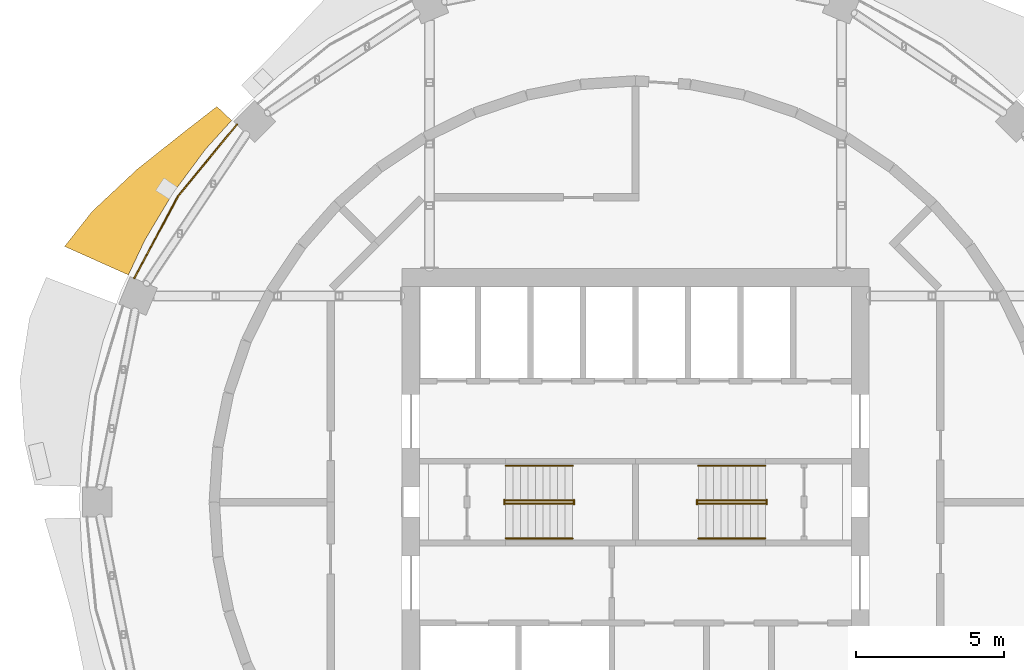
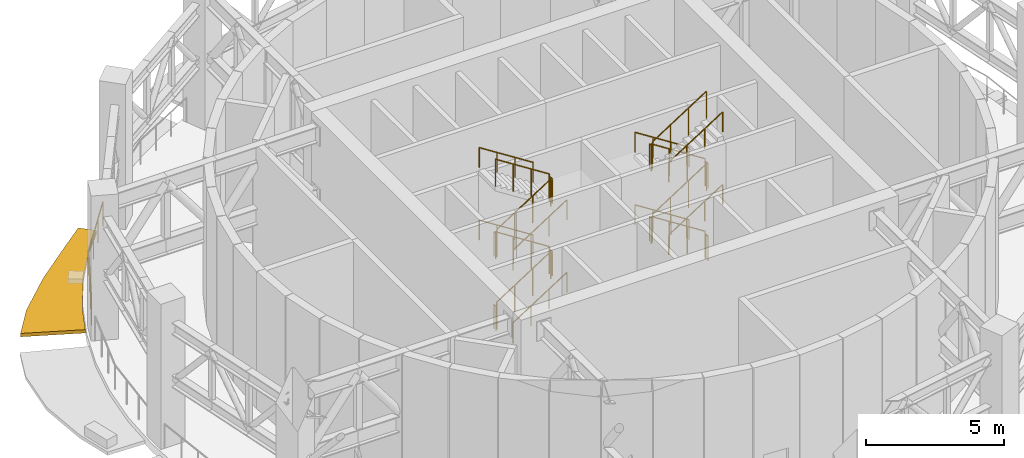
# One storey, part 12 of 14: 25 railings, 1 shading device.
"""IFC4 building model written with IfcOpenShell, lengths in metres."""

from ifc_helpers import new_model, si_unit, direction, frame, origin, origin_2d, place, context, subcontext, project, spatial, polyline, circle, outline, extrude, material, type_object, element, save


model = new_model("IFC4")

# Units and contexts
model_context = context("Model", 3, precision=1e-05, world=origin(), true_north=direction((0.0, 1.0)))
body_context = subcontext(model_context, "Body", "Model", "MODEL_VIEW")
ifc_project = project(units=[si_unit("LENGTHUNIT", "METRE"), si_unit("AREAUNIT", "SQUARE_METRE"), si_unit("VOLUMEUNIT", "CUBIC_METRE"), si_unit("PLANEANGLEUNIT", "RADIAN"), si_unit("MASSUNIT", "GRAM", prefix="KILO")], contexts=[model_context])

# Site, building, storey
site_placement = place(None, origin())
site = spatial("IfcSite", under=ifc_project, at=site_placement, CompositionType="ELEMENT")
building_placement = place(site_placement, origin())
building = spatial("IfcBuilding", under=site, at=building_placement, Name="Polderwave Tower", CompositionType="ELEMENT")
storey_placement = place(building_placement, frame((0.0, 0.0, 161.14990234375)))
storey = spatial("IfcBuildingStorey", under=building, at=storey_placement, Name="L43", CompositionType="ELEMENT", Elevation=161.14990234375)

# Railings
ifc_material_1 = material(Name="Stainless steel", Category="steel")
railing_type_1 = type_object("IfcRailingType", Name="Stair guard 1100", PredefinedType="GUARDRAIL", material=ifc_material_1)
railing_1_placement = place(storey_placement, frame((-4.3740234375, -0.051025390625, 0.0400390625)))
element("IfcRailing", 1, at=railing_1_placement, inside=storey, type_object=railing_type_1, Name="L43 ST-A stair guard 1", PredefinedType="GUARDRAIL", context=body_context, shape_type="SweptSolid", body=[
    extrude(circle(Radius=0.02392578125, at=origin_2d()), frame((0.0, 0.0, 1.1962890625), z_axis=(0.842281359387, 0.0, 0.539038135598), x_axis=(0.0, 1.0, 0.0)), (0.0, 0.0, 1.0), 2.67138671875),
    extrude(circle(Radius=0.02392578125, at=origin_2d()), origin(), (0.0, 0.0, 1.0), 1.172119140625),
    extrude(circle(Radius=0.02392578125, at=origin_2d()), frame((0.75, 0.0, 0.47998046875)), (0.0, 0.0, 1.0), 1.172119140625),
    extrude(circle(Radius=0.02392578125, at=origin_2d()), frame((1.5, 0.0, 0.9599609375)), (0.0, 0.0, 1.0), 1.172119140625),
    extrude(circle(Radius=0.02392578125, at=origin_2d()), frame((2.25, 0.0, 1.43994140625)), (0.0, 0.0, 1.0), 1.172119140625),
])
railing_2_placement = place(storey_placement, frame((-2.073974609375, -0.074951171875, 1.60009765625)))
element("IfcRailing", 2, at=railing_2_placement, inside=storey, type_object=railing_type_1, Name="L43 ST-A stair guard 2", PredefinedType="GUARDRAIL", context=body_context, shape_type="SweptSolid", body=[
    extrude(circle(Radius=0.02392578125, at=origin_2d()), frame((0.0, 0.0, 1.076171875), z_axis=(0.0, 1.0, 0.0), x_axis=(-1.0, 0.0, 0.0)), (0.0, 0.0, 1.0), 0.14990234375),
    extrude(circle(Radius=0.02099609375, at=origin_2d()), origin(), (0.0, 0.0, 1.0), 1.052001953125),
    extrude(circle(Radius=0.02099609375, at=origin_2d()), frame((0.0, 0.14990234375, 0.0)), (0.0, 0.0, 1.0), 1.052001953125),
])
railing_3_placement = place(storey_placement, frame((-2.1240234375, 0.051025390625, 1.639892578125)))
element("IfcRailing", 3, at=railing_3_placement, inside=storey, type_object=railing_type_1, Name="L43 ST-A stair guard 3", PredefinedType="GUARDRAIL", context=body_context, shape_type="SweptSolid", body=[
    extrude(circle(Radius=0.02392578125, at=origin_2d()), frame((0.0, 0.0, 1.1962890625), z_axis=(-0.842239864353, 0.0, 0.539102968731), x_axis=(0.0, -1.0, 0.0)), (0.0, 0.0, 1.0), 2.67138671875),
    extrude(circle(Radius=0.02392578125, at=origin_2d()), origin(), (0.0, 0.0, 1.0), 1.172119140625),
    extrude(circle(Radius=0.02392578125, at=origin_2d()), frame((-0.75, 0.0, 0.47998046875)), (0.0, 0.0, 1.0), 1.172119140625),
    extrude(circle(Radius=0.02392578125, at=origin_2d()), frame((-1.5, 0.0, 0.960205078125)), (0.0, 0.0, 1.0), 1.172119140625),
    extrude(circle(Radius=0.02392578125, at=origin_2d()), frame((-2.25, 0.0, 1.440185546875)), (0.0, 0.0, 1.0), 1.172119140625),
])
railing_4_placement = place(storey_placement, frame((-4.424072265625, -0.074951171875, 3.2001953125)))
element("IfcRailing", 4, at=railing_4_placement, inside=storey, type_object=railing_type_1, Name="L43 ST-A stair guard 4", PredefinedType="GUARDRAIL", context=body_context, shape_type="SweptSolid", body=[
    extrude(circle(Radius=0.02392578125, at=origin_2d()), frame((0.0, 0.0, 1.076171875), z_axis=(0.0, 1.0, 0.0), x_axis=(-1.0, 0.0, 0.0)), (0.0, 0.0, 1.0), 0.14990234375),
    extrude(circle(Radius=0.02099609375, at=origin_2d()), origin(), (0.0, 0.0, 1.0), 1.052001953125),
    extrude(circle(Radius=0.02099609375, at=origin_2d()), frame((0.0, 0.14990234375, 0.0)), (0.0, 0.0, 1.0), 1.052001953125),
])
railing_5_placement = place(storey_placement, frame((-4.3740234375, -0.051025390625, 3.239990234375)))
element("IfcRailing", 5, at=railing_5_placement, inside=storey, type_object=railing_type_1, Name="L43 ST-A stair guard 5", PredefinedType="GUARDRAIL", context=body_context, shape_type="SweptSolid", body=[
    extrude(circle(Radius=0.02392578125, at=origin_2d()), frame((0.0, 0.0, 1.1962890625), z_axis=(0.842281359387, 0.0, 0.539038135598), x_axis=(0.0, 1.0, 0.0)), (0.0, 0.0, 1.0), 2.67138671875),
    extrude(circle(Radius=0.02392578125, at=origin_2d()), origin(), (0.0, 0.0, 1.0), 1.172119140625),
    extrude(circle(Radius=0.02392578125, at=origin_2d()), frame((0.75, 0.0, 0.47998046875)), (0.0, 0.0, 1.0), 1.172119140625),
    extrude(circle(Radius=0.02392578125, at=origin_2d()), frame((1.5, 0.0, 0.9599609375)), (0.0, 0.0, 1.0), 1.172119140625),
    extrude(circle(Radius=0.02392578125, at=origin_2d()), frame((2.25, 0.0, 1.43994140625)), (0.0, 0.0, 1.0), 1.172119140625),
])
railing_6_placement = place(storey_placement, frame((-2.073974609375, -0.074951171875, 4.800048828125)))
element("IfcRailing", 6, at=railing_6_placement, inside=storey, type_object=railing_type_1, Name="L43 ST-A stair guard 6", PredefinedType="GUARDRAIL", context=body_context, shape_type="SweptSolid", body=[
    extrude(circle(Radius=0.02392578125, at=origin_2d()), frame((0.0, 0.0, 1.076171875), z_axis=(0.0, 1.0, 0.0), x_axis=(-1.0, 0.0, 0.0)), (0.0, 0.0, 1.0), 0.14990234375),
    extrude(circle(Radius=0.02099609375, at=origin_2d()), origin(), (0.0, 0.0, 1.0), 1.052001953125),
    extrude(circle(Radius=0.02099609375, at=origin_2d()), frame((0.0, 0.14990234375, 0.0)), (0.0, 0.0, 1.0), 1.052001953125),
])
railing_7_placement = place(storey_placement, frame((-2.1240234375, 0.051025390625, 4.840087890625)))
element("IfcRailing", 7, at=railing_7_placement, inside=storey, type_object=railing_type_1, Name="L43 ST-A stair guard 7", PredefinedType="GUARDRAIL", context=body_context, shape_type="SweptSolid", body=[
    extrude(circle(Radius=0.02392578125, at=origin_2d()), frame((0.0, 0.0, 1.1962890625), z_axis=(-0.842281359387, 0.0, 0.539038135598), x_axis=(0.0, -1.0, 0.0)), (0.0, 0.0, 1.0), 2.67138671875),
    extrude(circle(Radius=0.02392578125, at=origin_2d()), origin(), (0.0, 0.0, 1.0), 1.172119140625),
    extrude(circle(Radius=0.02392578125, at=origin_2d()), frame((-0.75, 0.0, 0.47998046875)), (0.0, 0.0, 1.0), 1.172119140625),
    extrude(circle(Radius=0.02392578125, at=origin_2d()), frame((-1.5, 0.0, 0.9599609375)), (0.0, 0.0, 1.0), 1.172119140625),
    extrude(circle(Radius=0.02392578125, at=origin_2d()), frame((-2.25, 0.0, 1.43994140625)), (0.0, 0.0, 1.0), 1.172119140625),
])
railing_8_placement = place(storey_placement, frame((-4.424072265625, -0.074951171875, 0.0)))
element("IfcRailing", 8, at=railing_8_placement, inside=storey, type_object=railing_type_1, Name="L43 ST-A stair guard 8", PredefinedType="GUARDRAIL", context=body_context, shape_type="SweptSolid", body=[
    extrude(circle(Radius=0.02392578125, at=origin_2d()), frame((0.0, 0.0, 1.076171875), z_axis=(0.0, 1.0, 0.0), x_axis=(-1.0, 0.0, 0.0)), (0.0, 0.0, 1.0), 0.14990234375),
    extrude(circle(Radius=0.02099609375, at=origin_2d()), origin(), (0.0, 0.0, 1.0), 1.052001953125),
    extrude(circle(Radius=0.02099609375, at=origin_2d()), frame((0.0, 0.14990234375, 0.0)), (0.0, 0.0, 1.0), 1.052001953125),
])
railing_9_placement = place(storey_placement, frame((4.3740234375, 0.051025390625, 0.0400390625)))
element("IfcRailing", 9, at=railing_9_placement, inside=storey, type_object=railing_type_1, Name="L43 ST-B stair guard 1", PredefinedType="GUARDRAIL", context=body_context, shape_type="SweptSolid", body=[
    extrude(circle(Radius=0.02392578125, at=origin_2d()), frame((0.0, 0.0, 1.1962890625), z_axis=(-0.842281359387, 0.0, 0.539038135598), x_axis=(0.0, -1.0, 0.0)), (0.0, 0.0, 1.0), 2.67138671875),
    extrude(circle(Radius=0.02392578125, at=origin_2d()), origin(), (0.0, 0.0, 1.0), 1.172119140625),
    extrude(circle(Radius=0.02392578125, at=origin_2d()), frame((-0.75, 0.0, 0.47998046875)), (0.0, 0.0, 1.0), 1.172119140625),
    extrude(circle(Radius=0.02392578125, at=origin_2d()), frame((-1.5, 0.0, 0.9599609375)), (0.0, 0.0, 1.0), 1.172119140625),
    extrude(circle(Radius=0.02392578125, at=origin_2d()), frame((-2.25, 0.0, 1.43994140625)), (0.0, 0.0, 1.0), 1.172119140625),
])
railing_10_placement = place(storey_placement, frame((2.073974609375, 0.074951171875, 1.60009765625)))
element("IfcRailing", 10, at=railing_10_placement, inside=storey, type_object=railing_type_1, Name="L43 ST-B stair guard 2", PredefinedType="GUARDRAIL", context=body_context, shape_type="SweptSolid", body=[
    extrude(circle(Radius=0.02392578125, at=origin_2d()), frame((0.0, 0.0, 1.076171875), z_axis=(0.0, -1.0, 0.0), x_axis=(1.0, 0.0, 0.0)), (0.0, 0.0, 1.0), 0.14990234375),
    extrude(circle(Radius=0.02099609375, at=origin_2d()), origin(), (0.0, 0.0, 1.0), 1.052001953125),
    extrude(circle(Radius=0.02099609375, at=origin_2d()), frame((0.0, -0.14990234375, 0.0)), (0.0, 0.0, 1.0), 1.052001953125),
])
railing_11_placement = place(storey_placement, frame((2.1240234375, -0.051025390625, 1.639892578125)))
element("IfcRailing", 11, at=railing_11_placement, inside=storey, type_object=railing_type_1, Name="L43 ST-B stair guard 3", PredefinedType="GUARDRAIL", context=body_context, shape_type="SweptSolid", body=[
    extrude(circle(Radius=0.02392578125, at=origin_2d()), frame((0.0, 0.0, 1.1962890625), z_axis=(0.842239864353, 0.0, 0.539102968731), x_axis=(0.0, 1.0, 0.0)), (0.0, 0.0, 1.0), 2.67138671875),
    extrude(circle(Radius=0.02392578125, at=origin_2d()), origin(), (0.0, 0.0, 1.0), 1.172119140625),
    extrude(circle(Radius=0.02392578125, at=origin_2d()), frame((0.75, 0.0, 0.47998046875)), (0.0, 0.0, 1.0), 1.172119140625),
    extrude(circle(Radius=0.02392578125, at=origin_2d()), frame((1.5, 0.0, 0.960205078125)), (0.0, 0.0, 1.0), 1.172119140625),
    extrude(circle(Radius=0.02392578125, at=origin_2d()), frame((2.25, 0.0, 1.440185546875)), (0.0, 0.0, 1.0), 1.172119140625),
])
railing_12_placement = place(storey_placement, frame((4.424072265625, 0.074951171875, 3.2001953125)))
element("IfcRailing", 12, at=railing_12_placement, inside=storey, type_object=railing_type_1, Name="L43 ST-B stair guard 4", PredefinedType="GUARDRAIL", context=body_context, shape_type="SweptSolid", body=[
    extrude(circle(Radius=0.02392578125, at=origin_2d()), frame((0.0, 0.0, 1.076171875), z_axis=(0.0, -1.0, 0.0), x_axis=(1.0, 0.0, 0.0)), (0.0, 0.0, 1.0), 0.14990234375),
    extrude(circle(Radius=0.02099609375, at=origin_2d()), origin(), (0.0, 0.0, 1.0), 1.052001953125),
    extrude(circle(Radius=0.02099609375, at=origin_2d()), frame((0.0, -0.14990234375, 0.0)), (0.0, 0.0, 1.0), 1.052001953125),
])
railing_13_placement = place(storey_placement, frame((4.3740234375, 0.051025390625, 3.239990234375)))
element("IfcRailing", 13, at=railing_13_placement, inside=storey, type_object=railing_type_1, Name="L43 ST-B stair guard 5", PredefinedType="GUARDRAIL", context=body_context, shape_type="SweptSolid", body=[
    extrude(circle(Radius=0.02392578125, at=origin_2d()), frame((0.0, 0.0, 1.1962890625), z_axis=(-0.842281359387, 0.0, 0.539038135598), x_axis=(0.0, -1.0, 0.0)), (0.0, 0.0, 1.0), 2.67138671875),
    extrude(circle(Radius=0.02392578125, at=origin_2d()), origin(), (0.0, 0.0, 1.0), 1.172119140625),
    extrude(circle(Radius=0.02392578125, at=origin_2d()), frame((-0.75, 0.0, 0.47998046875)), (0.0, 0.0, 1.0), 1.172119140625),
    extrude(circle(Radius=0.02392578125, at=origin_2d()), frame((-1.5, 0.0, 0.9599609375)), (0.0, 0.0, 1.0), 1.172119140625),
    extrude(circle(Radius=0.02392578125, at=origin_2d()), frame((-2.25, 0.0, 1.43994140625)), (0.0, 0.0, 1.0), 1.172119140625),
])
railing_14_placement = place(storey_placement, frame((2.073974609375, 0.074951171875, 4.800048828125)))
element("IfcRailing", 14, at=railing_14_placement, inside=storey, type_object=railing_type_1, Name="L43 ST-B stair guard 6", PredefinedType="GUARDRAIL", context=body_context, shape_type="SweptSolid", body=[
    extrude(circle(Radius=0.02392578125, at=origin_2d()), frame((0.0, 0.0, 1.076171875), z_axis=(0.0, -1.0, 0.0), x_axis=(1.0, 0.0, 0.0)), (0.0, 0.0, 1.0), 0.14990234375),
    extrude(circle(Radius=0.02099609375, at=origin_2d()), origin(), (0.0, 0.0, 1.0), 1.052001953125),
    extrude(circle(Radius=0.02099609375, at=origin_2d()), frame((0.0, -0.14990234375, 0.0)), (0.0, 0.0, 1.0), 1.052001953125),
])
railing_15_placement = place(storey_placement, frame((2.1240234375, -0.051025390625, 4.840087890625)))
element("IfcRailing", 15, at=railing_15_placement, inside=storey, type_object=railing_type_1, Name="L43 ST-B stair guard 7", PredefinedType="GUARDRAIL", context=body_context, shape_type="SweptSolid", body=[
    extrude(circle(Radius=0.02392578125, at=origin_2d()), frame((0.0, 0.0, 1.1962890625), z_axis=(0.842281359387, 0.0, 0.539038135598), x_axis=(0.0, 1.0, 0.0)), (0.0, 0.0, 1.0), 2.67138671875),
    extrude(circle(Radius=0.02392578125, at=origin_2d()), origin(), (0.0, 0.0, 1.0), 1.172119140625),
    extrude(circle(Radius=0.02392578125, at=origin_2d()), frame((0.75, 0.0, 0.47998046875)), (0.0, 0.0, 1.0), 1.172119140625),
    extrude(circle(Radius=0.02392578125, at=origin_2d()), frame((1.5, 0.0, 0.9599609375)), (0.0, 0.0, 1.0), 1.172119140625),
    extrude(circle(Radius=0.02392578125, at=origin_2d()), frame((2.25, 0.0, 1.43994140625)), (0.0, 0.0, 1.0), 1.172119140625),
])
railing_16_placement = place(storey_placement, frame((4.424072265625, 0.074951171875, 0.0)))
element("IfcRailing", 16, at=railing_16_placement, inside=storey, type_object=railing_type_1, Name="L43 ST-B stair guard 8", PredefinedType="GUARDRAIL", context=body_context, shape_type="SweptSolid", body=[
    extrude(circle(Radius=0.02392578125, at=origin_2d()), frame((0.0, 0.0, 1.076171875), z_axis=(0.0, -1.0, 0.0), x_axis=(1.0, 0.0, 0.0)), (0.0, 0.0, 1.0), 0.14990234375),
    extrude(circle(Radius=0.02099609375, at=origin_2d()), origin(), (0.0, 0.0, 1.0), 1.052001953125),
    extrude(circle(Radius=0.02099609375, at=origin_2d()), frame((0.0, -0.14990234375, 0.0)), (0.0, 0.0, 1.0), 1.052001953125),
])
railing_type_2 = type_object("IfcRailingType", Name="Stair handrail 900", PredefinedType="HANDRAIL", material=ifc_material_1)
railing_17_placement = place(storey_placement, frame((-4.3740234375, -1.22509765625, 0.16015625)))
element("IfcRailing", 17, at=railing_17_placement, inside=storey, type_object=railing_type_2, Name="L43 ST-A stair handrail 1", PredefinedType="HANDRAIL", context=body_context, shape_type="SweptSolid", body=[
    extrude(circle(Radius=0.02392578125, at=origin_2d()), frame((0.0, 0.0, 0.8759765625), z_axis=(0.842281359387, 0.0, 0.539038135598), x_axis=(0.0, 1.0, 0.0)), (0.0, 0.0, 1.0), 2.67138671875),
    extrude(circle(Radius=0.02099609375, at=origin_2d()), origin(), (0.0, 0.0, 1.0), 0.851806640625),
    extrude(circle(Radius=0.02099609375, at=origin_2d()), frame((0.75, 0.0, 0.47998046875)), (0.0, 0.0, 1.0), 0.851806640625),
    extrude(circle(Radius=0.02099609375, at=origin_2d()), frame((1.5, 0.0, 0.9599609375)), (0.0, 0.0, 1.0), 0.851806640625),
    extrude(circle(Radius=0.02099609375, at=origin_2d()), frame((2.25, 0.0, 1.43994140625)), (0.0, 0.0, 1.0), 0.851806640625),
])
railing_18_placement = place(storey_placement, frame((-2.1240234375, 1.22509765625, 1.760009765625)))
element("IfcRailing", 18, at=railing_18_placement, inside=storey, type_object=railing_type_2, Name="L43 ST-A stair handrail 2", PredefinedType="HANDRAIL", context=body_context, shape_type="SweptSolid", body=[
    extrude(circle(Radius=0.02392578125, at=origin_2d()), frame((0.0, 0.0, 0.8759765625), z_axis=(-0.842239864353, 0.0, 0.539102968731), x_axis=(0.0, -1.0, 0.0)), (0.0, 0.0, 1.0), 2.67138671875),
    extrude(circle(Radius=0.02099609375, at=origin_2d()), origin(), (0.0, 0.0, 1.0), 0.851806640625),
    extrude(circle(Radius=0.02099609375, at=origin_2d()), frame((-0.75, 0.0, 0.47998046875)), (0.0, 0.0, 1.0), 0.851806640625),
    extrude(circle(Radius=0.02099609375, at=origin_2d()), frame((-1.5, 0.0, 0.960205078125)), (0.0, 0.0, 1.0), 0.851806640625),
    extrude(circle(Radius=0.02099609375, at=origin_2d()), frame((-2.25, 0.0, 1.440185546875)), (0.0, 0.0, 1.0), 0.851806640625),
])
railing_19_placement = place(storey_placement, frame((-4.3740234375, -1.22509765625, 3.360107421875)))
element("IfcRailing", 19, at=railing_19_placement, inside=storey, type_object=railing_type_2, Name="L43 ST-A stair handrail 3", PredefinedType="HANDRAIL", context=body_context, shape_type="SweptSolid", body=[
    extrude(circle(Radius=0.02392578125, at=origin_2d()), frame((0.0, 0.0, 0.8759765625), z_axis=(0.842281359387, 0.0, 0.539038135598), x_axis=(0.0, 1.0, 0.0)), (0.0, 0.0, 1.0), 2.67138671875),
    extrude(circle(Radius=0.02099609375, at=origin_2d()), origin(), (0.0, 0.0, 1.0), 0.851806640625),
    extrude(circle(Radius=0.02099609375, at=origin_2d()), frame((0.75, 0.0, 0.47998046875)), (0.0, 0.0, 1.0), 0.851806640625),
    extrude(circle(Radius=0.02099609375, at=origin_2d()), frame((1.5, 0.0, 0.9599609375)), (0.0, 0.0, 1.0), 0.851806640625),
    extrude(circle(Radius=0.02099609375, at=origin_2d()), frame((2.25, 0.0, 1.43994140625)), (0.0, 0.0, 1.0), 0.851806640625),
])
for number, where, name in (
    (20, (-2.1240234375, 1.22509765625, 4.960205078125), "L43 ST-A stair handrail 4"),
    (21, (4.3740234375, 1.22509765625, 0.16015625), "L43 ST-B stair handrail 1"),
):
    element("IfcRailing", number, at=place(storey_placement, frame(where)), inside=storey, type_object=railing_type_2, Name=name, PredefinedType="HANDRAIL", context=body_context, shape_type="SweptSolid", body=[
        extrude(circle(Radius=0.02392578125, at=origin_2d()), frame((0.0, 0.0, 0.8759765625), z_axis=(-0.842281359387, 0.0, 0.539038135598), x_axis=(0.0, -1.0, 0.0)), (0.0, 0.0, 1.0), 2.67138671875),
        extrude(circle(Radius=0.02099609375, at=origin_2d()), origin(), (0.0, 0.0, 1.0), 0.851806640625),
        extrude(circle(Radius=0.02099609375, at=origin_2d()), frame((-0.75, 0.0, 0.47998046875)), (0.0, 0.0, 1.0), 0.851806640625),
        extrude(circle(Radius=0.02099609375, at=origin_2d()), frame((-1.5, 0.0, 0.9599609375)), (0.0, 0.0, 1.0), 0.851806640625),
        extrude(circle(Radius=0.02099609375, at=origin_2d()), frame((-2.25, 0.0, 1.43994140625)), (0.0, 0.0, 1.0), 0.851806640625),
    ])
railing_20_placement = place(storey_placement, frame((2.1240234375, -1.22509765625, 1.760009765625)))
element("IfcRailing", 22, at=railing_20_placement, inside=storey, type_object=railing_type_2, Name="L43 ST-B stair handrail 2", PredefinedType="HANDRAIL", context=body_context, shape_type="SweptSolid", body=[
    extrude(circle(Radius=0.02392578125, at=origin_2d()), frame((0.0, 0.0, 0.8759765625), z_axis=(0.842239864353, 0.0, 0.539102968731), x_axis=(0.0, 1.0, 0.0)), (0.0, 0.0, 1.0), 2.67138671875),
    extrude(circle(Radius=0.02099609375, at=origin_2d()), origin(), (0.0, 0.0, 1.0), 0.851806640625),
    extrude(circle(Radius=0.02099609375, at=origin_2d()), frame((0.75, 0.0, 0.47998046875)), (0.0, 0.0, 1.0), 0.851806640625),
    extrude(circle(Radius=0.02099609375, at=origin_2d()), frame((1.5, 0.0, 0.960205078125)), (0.0, 0.0, 1.0), 0.851806640625),
    extrude(circle(Radius=0.02099609375, at=origin_2d()), frame((2.25, 0.0, 1.440185546875)), (0.0, 0.0, 1.0), 0.851806640625),
])
railing_21_placement = place(storey_placement, frame((4.3740234375, 1.22509765625, 3.360107421875)))
element("IfcRailing", 23, at=railing_21_placement, inside=storey, type_object=railing_type_2, Name="L43 ST-B stair handrail 3", PredefinedType="HANDRAIL", context=body_context, shape_type="SweptSolid", body=[
    extrude(circle(Radius=0.02392578125, at=origin_2d()), frame((0.0, 0.0, 0.8759765625), z_axis=(-0.842281359387, 0.0, 0.539038135598), x_axis=(0.0, -1.0, 0.0)), (0.0, 0.0, 1.0), 2.67138671875),
    extrude(circle(Radius=0.02099609375, at=origin_2d()), origin(), (0.0, 0.0, 1.0), 0.851806640625),
    extrude(circle(Radius=0.02099609375, at=origin_2d()), frame((-0.75, 0.0, 0.47998046875)), (0.0, 0.0, 1.0), 0.851806640625),
    extrude(circle(Radius=0.02099609375, at=origin_2d()), frame((-1.5, 0.0, 0.9599609375)), (0.0, 0.0, 1.0), 0.851806640625),
    extrude(circle(Radius=0.02099609375, at=origin_2d()), frame((-2.25, 0.0, 1.43994140625)), (0.0, 0.0, 1.0), 0.851806640625),
])
railing_22_placement = place(storey_placement, frame((2.1240234375, -1.22509765625, 4.960205078125)))
element("IfcRailing", 24, at=railing_22_placement, inside=storey, type_object=railing_type_2, Name="L43 ST-B stair handrail 4", PredefinedType="HANDRAIL", context=body_context, shape_type="SweptSolid", body=[
    extrude(circle(Radius=0.02392578125, at=origin_2d()), frame((0.0, 0.0, 0.8759765625), z_axis=(0.842281359387, 0.0, 0.539038135598), x_axis=(0.0, 1.0, 0.0)), (0.0, 0.0, 1.0), 2.67138671875),
    extrude(circle(Radius=0.02099609375, at=origin_2d()), origin(), (0.0, 0.0, 1.0), 0.851806640625),
    extrude(circle(Radius=0.02099609375, at=origin_2d()), frame((0.75, 0.0, 0.47998046875)), (0.0, 0.0, 1.0), 0.851806640625),
    extrude(circle(Radius=0.02099609375, at=origin_2d()), frame((1.5, 0.0, 0.9599609375)), (0.0, 0.0, 1.0), 0.851806640625),
    extrude(circle(Radius=0.02099609375, at=origin_2d()), frame((2.25, 0.0, 1.43994140625)), (0.0, 0.0, 1.0), 0.851806640625),
])

# Shading device
ifc_material_2 = material(Name="Terracotta", Category="masonry")
shading_device_type = type_object("IfcShadingDeviceType", Name="Terracotta sunshade band", PredefinedType="USERDEFINED", material=ifc_material_2)
shading_device_placement = place(storey_placement, frame((0.0, 0.0, -0.349853515625)))
element("IfcShadingDevice", 25, at=shading_device_placement, inside=storey, type_object=shading_device_type, Name="Sunshade band L43 7", ObjectType="SUNSHADE", PredefinedType="USERDEFINED", context=body_context, shape_type="SweptSolid", body=[
    extrude(outline(polyline([(-13.614990234375, 12.86474609375), (-14.493896484375, 11.89501953125), (-15.590087890625, 10.4169921875), (-16.535888671875, 8.838623046875), (-17.095703125, 7.655517578125), (-19.245849609375, 8.6181640625), (-18.321044921875, 9.792724609375), (-16.795166015625, 11.22216796875), (-15.20947265625, 12.482177734375), (-14.11181640625, 13.334228515625), (-13.614990234375, 12.86474609375)])), origin(), (0.0, 0.0, 1.0), 0.14990234375),
])

# Railing
ifc_material_3 = material(Name="Stainless steel 316", Category="steel")
railing_type_3 = type_object("IfcRailingType", Name="Wind floor guard 1100", PredefinedType="GUARDRAIL", material=ifc_material_3)
railing_23_placement = place(storey_placement, frame((-13.435546875, 12.728515625, 0.0)))
element("IfcRailing", 26, at=railing_23_placement, inside=storey, type_object=railing_type_3, Name="Wind floor guard L43 7", PredefinedType="GUARDRAIL", context=body_context, shape_type="SweptSolid", body=[
    extrude(circle(Radius=0.02490234375, at=origin_2d()), frame((0.0, 0.0, 1.0751953125), z_axis=(-0.634412106208, -0.772995006127, 0.0), x_axis=(0.772995006127, -0.634412106208, 0.0)), (0.0, 0.0, 1.0), 3.134033203125),
    extrude(circle(Radius=0.02490234375, at=origin_2d()), frame((-1.98828125, -2.422607421875, 1.0751953125), z_axis=(-0.471384584046, -0.881927760037, 0.0), x_axis=(0.881927760037, -0.471384584046, 0.0)), (0.0, 0.0, 1.0), 3.134033203125),
    extrude(circle(Radius=0.02001953125, at=origin_2d()), origin(), (0.0, 0.0, 1.0), 1.050048828125),
    extrude(circle(Radius=0.02001953125, at=origin_2d()), frame((-0.662841796875, -0.8076171875, 0.0)), (0.0, 0.0, 1.0), 1.050048828125),
    extrude(circle(Radius=0.02001953125, at=origin_2d()), frame((-1.325439453125, -1.614990234375, 0.0)), (0.0, 0.0, 1.0), 1.050048828125),
    extrude(circle(Radius=0.02001953125, at=origin_2d()), frame((-1.98828125, -2.422607421875, 0.0)), (0.0, 0.0, 1.0), 1.050048828125),
    extrude(circle(Radius=0.02001953125, at=origin_2d()), frame((-2.480712890625, -3.343994140625, 0.0)), (0.0, 0.0, 1.0), 1.050048828125),
    extrude(circle(Radius=0.02001953125, at=origin_2d()), frame((-2.97314453125, -4.26513671875, 0.0)), (0.0, 0.0, 1.0), 1.050048828125),
    extrude(circle(Radius=0.02001953125, at=origin_2d()), frame((-3.465576171875, -5.1865234375, 0.0)), (0.0, 0.0, 1.0), 1.050048828125),
])

save(model, "model.ifc")
